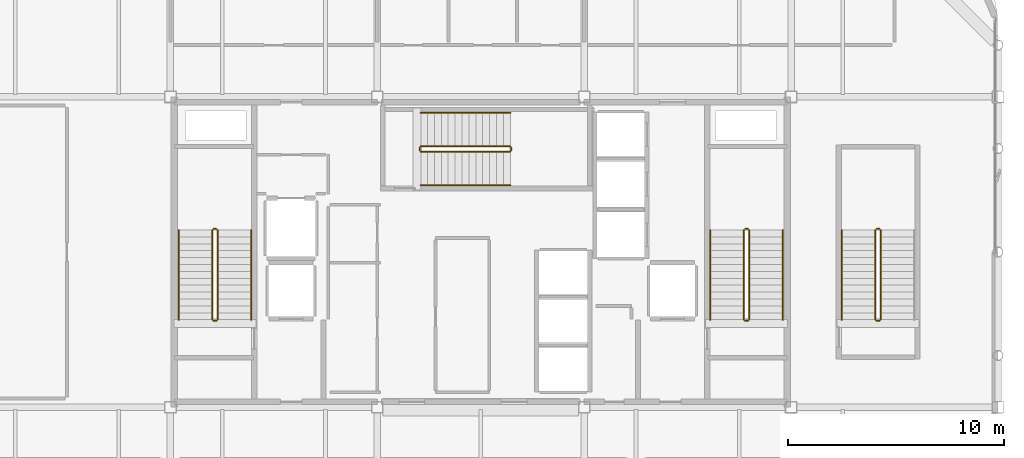
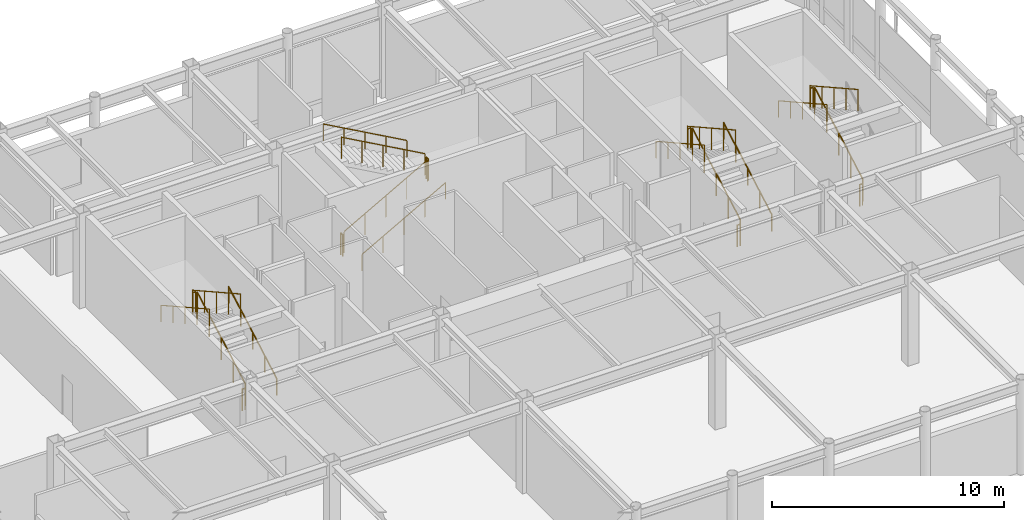
# One storey, part 20 of 21: 23 railings.
"""IFC4 building model written with IfcOpenShell, lengths in metres."""

from ifc_helpers import new_model, si_unit, direction, frame, origin, origin_2d, place, context, subcontext, project, spatial, circle, extrude, material, layer, layer_set, type_object, element, save


model = new_model("IFC4")

# Units and contexts
model_context = context("Model", 3, precision=1e-05, world=origin(), true_north=direction((0.0, 1.0)))
body_context = subcontext(model_context, "Body", "Model", "MODEL_VIEW")
ifc_project = project(units=[si_unit("LENGTHUNIT", "METRE"), si_unit("AREAUNIT", "SQUARE_METRE"), si_unit("VOLUMEUNIT", "CUBIC_METRE"), si_unit("PLANEANGLEUNIT", "RADIAN"), si_unit("MASSUNIT", "GRAM", prefix="KILO")], contexts=[model_context])

# Site, building, storey
site_placement = place(None, origin())
site = spatial("IfcSite", under=ifc_project, at=site_placement, CompositionType="ELEMENT")
building_placement = place(site_placement, origin())
building = spatial("IfcBuilding", under=site, at=building_placement, Name="Kallvorn Hotel Tower", CompositionType="ELEMENT")
storey_placement = place(building_placement, frame((0.0, 0.0, 290.60009765625)))
storey = spatial("IfcBuildingStorey", under=building, at=storey_placement, Name="L72", CompositionType="ELEMENT", Elevation=290.60009765625)

# Railings
ifc_material_1 = material(Name="Brushed stainless-steel tubular railing", Category="steel")
ifc_layer_1 = layer(ifc_material_1, 0.050048828125)
ifc_layer_set_1 = layer_set([ifc_layer_1], Name="RL_STAIR_GUARD")
railing_type_1 = type_object("IfcRailingType", Name="RL_STAIR_GUARD", PredefinedType="GUARDRAIL", material=ifc_layer_set_1)
railing_1_placement = place(storey_placement, frame((-12.2099609375, -3.139892578125, 0.178466796875)))
element("IfcRailing", 1, at=railing_1_placement, inside=storey, type_object=railing_type_1, Name="L72 ST1 stair guard 1", PredefinedType="GUARDRAIL", context=body_context, shape_type="SweptSolid", body=[
    extrude(circle(Radius=0.02392578125, at=origin_2d()), frame((0.0, 0.0, 1.1259765625), z_axis=(0.0, 0.873222553742, 0.487321630585), x_axis=(-1.0, 0.0, 0.0)), (0.0, 0.0, 1.0), 4.763916015625),
    extrude(circle(Radius=0.02099609375, at=origin_2d()), origin(), (0.0, 0.0, 1.0), 1.101806640625),
    extrude(circle(Radius=0.02099609375, at=origin_2d()), frame((0.0, 1.0400390625, 0.580322265625)), (0.0, 0.0, 1.0), 1.101806640625),
    extrude(circle(Radius=0.02099609375, at=origin_2d()), frame((0.0, 2.080078125, 1.16064453125)), (0.0, 0.0, 1.0), 1.101806640625),
    extrude(circle(Radius=0.02099609375, at=origin_2d()), frame((0.0, 3.119873046875, 1.7412109375)), (0.0, 0.0, 1.0), 1.101806640625),
    extrude(circle(Radius=0.02099609375, at=origin_2d()), frame((0.0, 4.159912109375, 2.321533203125)), (0.0, 0.0, 1.0), 1.101806640625),
])
railing_2_placement = place(storey_placement, frame((-12.260009765625, 1.070068359375, 2.5)))
element("IfcRailing", 2, at=railing_2_placement, inside=storey, type_object=railing_type_1, Name="L72 ST1 stair guard 2", PredefinedType="GUARDRAIL", context=body_context, shape_type="SweptSolid", body=[
    extrude(circle(Radius=0.02392578125, at=origin_2d()), frame((0.0, 0.0, 1.1259765625), z_axis=(-1.0, 0.0, 0.0), x_axis=(0.0, -1.0, 0.0)), (0.0, 0.0, 1.0), 0.139892578125),
    extrude(circle(Radius=0.02099609375, at=origin_2d()), origin(), (0.0, 0.0, 1.0), 1.101806640625),
    extrude(circle(Radius=0.02099609375, at=origin_2d()), frame((-0.139892578125, 0.0, 0.0)), (0.0, 0.0, 1.0), 1.101806640625),
])
railing_3_placement = place(storey_placement, frame((-12.449951171875, 1.02001953125, 2.678466796875)))
element("IfcRailing", 3, at=railing_3_placement, inside=storey, type_object=railing_type_1, Name="L72 ST1 stair guard 3", PredefinedType="GUARDRAIL", context=body_context, shape_type="SweptSolid", body=[
    extrude(circle(Radius=0.02392578125, at=origin_2d()), frame((0.0, 0.0, 1.1259765625), z_axis=(0.0, -0.873222553742, 0.487321630585), x_axis=(1.0, 0.0, 0.0)), (0.0, 0.0, 1.0), 4.763916015625),
    extrude(circle(Radius=0.02099609375, at=origin_2d()), origin(), (0.0, 0.0, 1.0), 1.101806640625),
    extrude(circle(Radius=0.02099609375, at=origin_2d()), frame((0.0, -1.0400390625, 0.580322265625)), (0.0, 0.0, 1.0), 1.101806640625),
    extrude(circle(Radius=0.02099609375, at=origin_2d()), frame((0.0, -2.080078125, 1.16064453125)), (0.0, 0.0, 1.0), 1.101806640625),
    extrude(circle(Radius=0.02099609375, at=origin_2d()), frame((0.0, -3.119873046875, 1.7412109375)), (0.0, 0.0, 1.0), 1.101806640625),
    extrude(circle(Radius=0.02099609375, at=origin_2d()), frame((0.0, -4.159912109375, 2.321533203125)), (0.0, 0.0, 1.0), 1.101806640625),
])
railing_4_placement = place(storey_placement, frame((-12.260009765625, -3.18994140625, 0.0)))
element("IfcRailing", 4, at=railing_4_placement, inside=storey, type_object=railing_type_1, Name="L72 ST1 stair guard 4", PredefinedType="GUARDRAIL", context=body_context, shape_type="SweptSolid", body=[
    extrude(circle(Radius=0.02392578125, at=origin_2d()), frame((0.0, 0.0, 1.1259765625), z_axis=(-1.0, 0.0, 0.0), x_axis=(0.0, -1.0, 0.0)), (0.0, 0.0, 1.0), 0.139892578125),
    extrude(circle(Radius=0.02099609375, at=origin_2d()), origin(), (0.0, 0.0, 1.0), 1.101806640625),
    extrude(circle(Radius=0.02099609375, at=origin_2d()), frame((-0.139892578125, 0.0, 0.0)), (0.0, 0.0, 1.0), 1.101806640625),
])
railing_5_placement = place(storey_placement, frame((12.449951171875, -3.139892578125, 0.178466796875)))
element("IfcRailing", 5, at=railing_5_placement, inside=storey, type_object=railing_type_1, Name="L72 ST2 stair guard 1", PredefinedType="GUARDRAIL", context=body_context, shape_type="SweptSolid", body=[
    extrude(circle(Radius=0.02392578125, at=origin_2d()), frame((0.0, 0.0, 1.1259765625), z_axis=(0.0, 0.873222553742, 0.487321630585), x_axis=(-1.0, 0.0, 0.0)), (0.0, 0.0, 1.0), 4.763916015625),
    extrude(circle(Radius=0.02099609375, at=origin_2d()), origin(), (0.0, 0.0, 1.0), 1.101806640625),
    extrude(circle(Radius=0.02099609375, at=origin_2d()), frame((0.0, 1.0400390625, 0.580322265625)), (0.0, 0.0, 1.0), 1.101806640625),
    extrude(circle(Radius=0.02099609375, at=origin_2d()), frame((0.0, 2.080078125, 1.16064453125)), (0.0, 0.0, 1.0), 1.101806640625),
    extrude(circle(Radius=0.02099609375, at=origin_2d()), frame((0.0, 3.119873046875, 1.7412109375)), (0.0, 0.0, 1.0), 1.101806640625),
    extrude(circle(Radius=0.02099609375, at=origin_2d()), frame((0.0, 4.159912109375, 2.321533203125)), (0.0, 0.0, 1.0), 1.101806640625),
])
railing_6_placement = place(storey_placement, frame((12.39990234375, 1.070068359375, 2.5)))
element("IfcRailing", 6, at=railing_6_placement, inside=storey, type_object=railing_type_1, Name="L72 ST2 stair guard 2", PredefinedType="GUARDRAIL", context=body_context, shape_type="SweptSolid", body=[
    extrude(circle(Radius=0.02392578125, at=origin_2d()), frame((0.0, 0.0, 1.1259765625), z_axis=(-1.0, 0.0, 0.0), x_axis=(0.0, -1.0, 0.0)), (0.0, 0.0, 1.0), 0.139892578125),
    extrude(circle(Radius=0.02099609375, at=origin_2d()), origin(), (0.0, 0.0, 1.0), 1.101806640625),
    extrude(circle(Radius=0.02099609375, at=origin_2d()), frame((-0.139892578125, 0.0, 0.0)), (0.0, 0.0, 1.0), 1.101806640625),
])
railing_7_placement = place(storey_placement, frame((12.2099609375, 1.02001953125, 2.678466796875)))
element("IfcRailing", 7, at=railing_7_placement, inside=storey, type_object=railing_type_1, Name="L72 ST2 stair guard 3", PredefinedType="GUARDRAIL", context=body_context, shape_type="SweptSolid", body=[
    extrude(circle(Radius=0.02392578125, at=origin_2d()), frame((0.0, 0.0, 1.1259765625), z_axis=(0.0, -0.873222553742, 0.487321630585), x_axis=(1.0, 0.0, 0.0)), (0.0, 0.0, 1.0), 4.763916015625),
    extrude(circle(Radius=0.02099609375, at=origin_2d()), origin(), (0.0, 0.0, 1.0), 1.101806640625),
    extrude(circle(Radius=0.02099609375, at=origin_2d()), frame((0.0, -1.0400390625, 0.580322265625)), (0.0, 0.0, 1.0), 1.101806640625),
    extrude(circle(Radius=0.02099609375, at=origin_2d()), frame((0.0, -2.080078125, 1.16064453125)), (0.0, 0.0, 1.0), 1.101806640625),
    extrude(circle(Radius=0.02099609375, at=origin_2d()), frame((0.0, -3.119873046875, 1.7412109375)), (0.0, 0.0, 1.0), 1.101806640625),
    extrude(circle(Radius=0.02099609375, at=origin_2d()), frame((0.0, -4.159912109375, 2.321533203125)), (0.0, 0.0, 1.0), 1.101806640625),
])
railing_8_placement = place(storey_placement, frame((12.39990234375, -3.18994140625, 0.0)))
element("IfcRailing", 8, at=railing_8_placement, inside=storey, type_object=railing_type_1, Name="L72 ST2 stair guard 4", PredefinedType="GUARDRAIL", context=body_context, shape_type="SweptSolid", body=[
    extrude(circle(Radius=0.02392578125, at=origin_2d()), frame((0.0, 0.0, 1.1259765625), z_axis=(-1.0, 0.0, 0.0), x_axis=(0.0, -1.0, 0.0)), (0.0, 0.0, 1.0), 0.139892578125),
    extrude(circle(Radius=0.02099609375, at=origin_2d()), origin(), (0.0, 0.0, 1.0), 1.101806640625),
    extrude(circle(Radius=0.02099609375, at=origin_2d()), frame((-0.139892578125, 0.0, 0.0)), (0.0, 0.0, 1.0), 1.101806640625),
])
railing_9_placement = place(storey_placement, frame((-2.7900390625, 4.659912109375, 0.178466796875)))
element("IfcRailing", 9, at=railing_9_placement, inside=storey, type_object=railing_type_1, Name="L72 ST3 stair guard 1", PredefinedType="GUARDRAIL", context=body_context, shape_type="SweptSolid", body=[
    extrude(circle(Radius=0.02392578125, at=origin_2d()), frame((0.0, 0.0, 1.1259765625), z_axis=(0.873234723532, 0.0, 0.487299823126), x_axis=(0.0, 1.0, 0.0)), (0.0, 0.0, 1.0), 4.76416015625),
    extrude(circle(Radius=0.02099609375, at=origin_2d()), origin(), (0.0, 0.0, 1.0), 1.101806640625),
    extrude(circle(Radius=0.02099609375, at=origin_2d()), frame((1.0400390625, 0.0, 0.580322265625)), (0.0, 0.0, 1.0), 1.101806640625),
    extrude(circle(Radius=0.02099609375, at=origin_2d()), frame((2.080078125, 0.0, 1.16064453125)), (0.0, 0.0, 1.0), 1.101806640625),
    extrude(circle(Radius=0.02099609375, at=origin_2d()), frame((3.1201171875, 0.0, 1.7412109375)), (0.0, 0.0, 1.0), 1.101806640625),
    extrude(circle(Radius=0.02099609375, at=origin_2d()), frame((4.16015625, 0.0, 2.321533203125)), (0.0, 0.0, 1.0), 1.101806640625),
])
railing_10_placement = place(storey_placement, frame((1.419921875, 4.7099609375, 2.5)))
element("IfcRailing", 10, at=railing_10_placement, inside=storey, type_object=railing_type_1, Name="L72 ST3 stair guard 2", PredefinedType="GUARDRAIL", context=body_context, shape_type="SweptSolid", body=[
    extrude(circle(Radius=0.02392578125, at=origin_2d()), frame((0.0, 0.0, 1.1259765625), z_axis=(0.0, 1.0, 0.0), x_axis=(-1.0, 0.0, 0.0)), (0.0, 0.0, 1.0), 0.14013671875),
    extrude(circle(Radius=0.02099609375, at=origin_2d()), origin(), (0.0, 0.0, 1.0), 1.101806640625),
    extrude(circle(Radius=0.02099609375, at=origin_2d()), frame((0.0, 0.14013671875, 0.0)), (0.0, 0.0, 1.0), 1.101806640625),
])
railing_11_placement = place(storey_placement, frame((1.3701171875, 4.89990234375, 2.678466796875)))
element("IfcRailing", 11, at=railing_11_placement, inside=storey, type_object=railing_type_1, Name="L72 ST3 stair guard 3", PredefinedType="GUARDRAIL", context=body_context, shape_type="SweptSolid", body=[
    extrude(circle(Radius=0.02392578125, at=origin_2d()), frame((0.0, 0.0, 1.1259765625), z_axis=(-0.873234723532, 0.0, 0.487299823126), x_axis=(0.0, -1.0, 0.0)), (0.0, 0.0, 1.0), 4.76416015625),
    extrude(circle(Radius=0.02099609375, at=origin_2d()), origin(), (0.0, 0.0, 1.0), 1.101806640625),
    extrude(circle(Radius=0.02099609375, at=origin_2d()), frame((-1.0400390625, 0.0, 0.580322265625)), (0.0, 0.0, 1.0), 1.101806640625),
    extrude(circle(Radius=0.02099609375, at=origin_2d()), frame((-2.080078125, 0.0, 1.16064453125)), (0.0, 0.0, 1.0), 1.101806640625),
    extrude(circle(Radius=0.02099609375, at=origin_2d()), frame((-3.1201171875, 0.0, 1.7412109375)), (0.0, 0.0, 1.0), 1.101806640625),
    extrude(circle(Radius=0.02099609375, at=origin_2d()), frame((-4.16015625, 0.0, 2.321533203125)), (0.0, 0.0, 1.0), 1.101806640625),
])
railing_12_placement = place(storey_placement, frame((-2.840087890625, 4.7099609375, 0.0)))
element("IfcRailing", 12, at=railing_12_placement, inside=storey, type_object=railing_type_1, Name="L72 ST3 stair guard 4", PredefinedType="GUARDRAIL", context=body_context, shape_type="SweptSolid", body=[
    extrude(circle(Radius=0.02392578125, at=origin_2d()), frame((0.0, 0.0, 1.1259765625), z_axis=(0.0, 1.0, 0.0), x_axis=(-1.0, 0.0, 0.0)), (0.0, 0.0, 1.0), 0.14013671875),
    extrude(circle(Radius=0.02099609375, at=origin_2d()), origin(), (0.0, 0.0, 1.0), 1.101806640625),
    extrude(circle(Radius=0.02099609375, at=origin_2d()), frame((0.0, 0.14013671875, 0.0)), (0.0, 0.0, 1.0), 1.101806640625),
])
railing_13_placement = place(storey_placement, frame((18.550048828125, -3.139892578125, 0.178466796875)))
element("IfcRailing", 13, at=railing_13_placement, inside=storey, type_object=railing_type_1, Name="L72 ST4 stair guard 1", PredefinedType="GUARDRAIL", context=body_context, shape_type="SweptSolid", body=[
    extrude(circle(Radius=0.02392578125, at=origin_2d()), frame((0.0, 0.0, 1.1259765625), z_axis=(0.0, 0.873222553742, 0.487321630585), x_axis=(-1.0, 0.0, 0.0)), (0.0, 0.0, 1.0), 4.763916015625),
    extrude(circle(Radius=0.02099609375, at=origin_2d()), origin(), (0.0, 0.0, 1.0), 1.101806640625),
    extrude(circle(Radius=0.02099609375, at=origin_2d()), frame((0.0, 1.0400390625, 0.580322265625)), (0.0, 0.0, 1.0), 1.101806640625),
    extrude(circle(Radius=0.02099609375, at=origin_2d()), frame((0.0, 2.080078125, 1.16064453125)), (0.0, 0.0, 1.0), 1.101806640625),
    extrude(circle(Radius=0.02099609375, at=origin_2d()), frame((0.0, 3.119873046875, 1.7412109375)), (0.0, 0.0, 1.0), 1.101806640625),
    extrude(circle(Radius=0.02099609375, at=origin_2d()), frame((0.0, 4.159912109375, 2.321533203125)), (0.0, 0.0, 1.0), 1.101806640625),
])
railing_14_placement = place(storey_placement, frame((18.5, 1.070068359375, 2.5)))
element("IfcRailing", 14, at=railing_14_placement, inside=storey, type_object=railing_type_1, Name="L72 ST4 stair guard 2", PredefinedType="GUARDRAIL", context=body_context, shape_type="SweptSolid", body=[
    extrude(circle(Radius=0.02392578125, at=origin_2d()), frame((0.0, 0.0, 1.1259765625), z_axis=(-1.0, 0.0, 0.0), x_axis=(0.0, -1.0, 0.0)), (0.0, 0.0, 1.0), 0.139892578125),
    extrude(circle(Radius=0.02099609375, at=origin_2d()), origin(), (0.0, 0.0, 1.0), 1.101806640625),
    extrude(circle(Radius=0.02099609375, at=origin_2d()), frame((-0.139892578125, 0.0, 0.0)), (0.0, 0.0, 1.0), 1.101806640625),
])
railing_15_placement = place(storey_placement, frame((18.31005859375, 1.02001953125, 2.678466796875)))
element("IfcRailing", 15, at=railing_15_placement, inside=storey, type_object=railing_type_1, Name="L72 ST4 stair guard 3", PredefinedType="GUARDRAIL", context=body_context, shape_type="SweptSolid", body=[
    extrude(circle(Radius=0.02392578125, at=origin_2d()), frame((0.0, 0.0, 1.1259765625), z_axis=(0.0, -0.873222553742, 0.487321630585), x_axis=(1.0, 0.0, 0.0)), (0.0, 0.0, 1.0), 4.763916015625),
    extrude(circle(Radius=0.02099609375, at=origin_2d()), origin(), (0.0, 0.0, 1.0), 1.101806640625),
    extrude(circle(Radius=0.02099609375, at=origin_2d()), frame((0.0, -1.0400390625, 0.580322265625)), (0.0, 0.0, 1.0), 1.101806640625),
    extrude(circle(Radius=0.02099609375, at=origin_2d()), frame((0.0, -2.080078125, 1.16064453125)), (0.0, 0.0, 1.0), 1.101806640625),
    extrude(circle(Radius=0.02099609375, at=origin_2d()), frame((0.0, -3.119873046875, 1.7412109375)), (0.0, 0.0, 1.0), 1.101806640625),
    extrude(circle(Radius=0.02099609375, at=origin_2d()), frame((0.0, -4.159912109375, 2.321533203125)), (0.0, 0.0, 1.0), 1.101806640625),
])
railing_16_placement = place(storey_placement, frame((18.5, -3.18994140625, 0.0)))
element("IfcRailing", 16, at=railing_16_placement, inside=storey, type_object=railing_type_1, Name="L72 ST4 stair guard 4", PredefinedType="GUARDRAIL", context=body_context, shape_type="SweptSolid", body=[
    extrude(circle(Radius=0.02392578125, at=origin_2d()), frame((0.0, 0.0, 1.1259765625), z_axis=(-1.0, 0.0, 0.0), x_axis=(0.0, -1.0, 0.0)), (0.0, 0.0, 1.0), 0.139892578125),
    extrude(circle(Radius=0.02099609375, at=origin_2d()), origin(), (0.0, 0.0, 1.0), 1.101806640625),
    extrude(circle(Radius=0.02099609375, at=origin_2d()), frame((-0.139892578125, 0.0, 0.0)), (0.0, 0.0, 1.0), 1.101806640625),
])
ifc_material_2 = material(Name="Brushed stainless-steel tubular railing", Category="steel")
ifc_layer_2 = layer(ifc_material_2, 0.050048828125)
ifc_layer_set_2 = layer_set([ifc_layer_2], Name="RL_STAIR_HAND")
railing_type_2 = type_object("IfcRailingType", Name="RL_STAIR_HAND", PredefinedType="HANDRAIL", material=ifc_layer_set_2)
railing_17_placement = place(storey_placement, frame((-10.64990234375, -3.139892578125, 0.178466796875)))
element("IfcRailing", 17, at=railing_17_placement, inside=storey, type_object=railing_type_2, Name="L72 ST1 stair handrail 1", PredefinedType="HANDRAIL", context=body_context, shape_type="SweptSolid", body=[
    extrude(circle(Radius=0.02392578125, at=origin_2d()), frame((0.0, 0.0, 0.8759765625), z_axis=(0.0, 0.873222553742, 0.487321630585), x_axis=(-1.0, 0.0, 0.0)), (0.0, 0.0, 1.0), 4.763916015625),
    extrude(circle(Radius=0.02099609375, at=origin_2d()), origin(), (0.0, 0.0, 1.0), 0.851806640625),
    extrude(circle(Radius=0.02099609375, at=origin_2d()), frame((0.0, 1.0400390625, 0.580322265625)), (0.0, 0.0, 1.0), 0.851806640625),
    extrude(circle(Radius=0.02099609375, at=origin_2d()), frame((0.0, 2.080078125, 1.16064453125)), (0.0, 0.0, 1.0), 0.851806640625),
    extrude(circle(Radius=0.02099609375, at=origin_2d()), frame((0.0, 3.119873046875, 1.7412109375)), (0.0, 0.0, 1.0), 0.851806640625),
    extrude(circle(Radius=0.02099609375, at=origin_2d()), frame((0.0, 4.159912109375, 2.321533203125)), (0.0, 0.0, 1.0), 0.851806640625),
])
railing_18_placement = place(storey_placement, frame((-14.010009765625, 1.02001953125, 2.678466796875)))
element("IfcRailing", 18, at=railing_18_placement, inside=storey, type_object=railing_type_2, Name="L72 ST1 stair handrail 2", PredefinedType="HANDRAIL", context=body_context, shape_type="SweptSolid", body=[
    extrude(circle(Radius=0.02392578125, at=origin_2d()), frame((0.0, 0.0, 0.8759765625), z_axis=(0.0, -0.873222553742, 0.487321630585), x_axis=(1.0, 0.0, 0.0)), (0.0, 0.0, 1.0), 4.763916015625),
    extrude(circle(Radius=0.02099609375, at=origin_2d()), origin(), (0.0, 0.0, 1.0), 0.851806640625),
    extrude(circle(Radius=0.02099609375, at=origin_2d()), frame((0.0, -1.0400390625, 0.580322265625)), (0.0, 0.0, 1.0), 0.851806640625),
    extrude(circle(Radius=0.02099609375, at=origin_2d()), frame((0.0, -2.080078125, 1.16064453125)), (0.0, 0.0, 1.0), 0.851806640625),
    extrude(circle(Radius=0.02099609375, at=origin_2d()), frame((0.0, -3.119873046875, 1.7412109375)), (0.0, 0.0, 1.0), 0.851806640625),
    extrude(circle(Radius=0.02099609375, at=origin_2d()), frame((0.0, -4.159912109375, 2.321533203125)), (0.0, 0.0, 1.0), 0.851806640625),
])
railing_19_placement = place(storey_placement, frame((14.010009765625, -3.139892578125, 0.178466796875)))
element("IfcRailing", 19, at=railing_19_placement, inside=storey, type_object=railing_type_2, Name="L72 ST2 stair handrail 1", PredefinedType="HANDRAIL", context=body_context, shape_type="SweptSolid", body=[
    extrude(circle(Radius=0.02392578125, at=origin_2d()), frame((0.0, 0.0, 0.8759765625), z_axis=(0.0, 0.873222553742, 0.487321630585), x_axis=(-1.0, 0.0, 0.0)), (0.0, 0.0, 1.0), 4.763916015625),
    extrude(circle(Radius=0.02099609375, at=origin_2d()), origin(), (0.0, 0.0, 1.0), 0.851806640625),
    extrude(circle(Radius=0.02099609375, at=origin_2d()), frame((0.0, 1.0400390625, 0.580322265625)), (0.0, 0.0, 1.0), 0.851806640625),
    extrude(circle(Radius=0.02099609375, at=origin_2d()), frame((0.0, 2.080078125, 1.16064453125)), (0.0, 0.0, 1.0), 0.851806640625),
    extrude(circle(Radius=0.02099609375, at=origin_2d()), frame((0.0, 3.119873046875, 1.7412109375)), (0.0, 0.0, 1.0), 0.851806640625),
    extrude(circle(Radius=0.02099609375, at=origin_2d()), frame((0.0, 4.159912109375, 2.321533203125)), (0.0, 0.0, 1.0), 0.851806640625),
])
railing_20_placement = place(storey_placement, frame((10.64990234375, 1.02001953125, 2.678466796875)))
element("IfcRailing", 20, at=railing_20_placement, inside=storey, type_object=railing_type_2, Name="L72 ST2 stair handrail 2", PredefinedType="HANDRAIL", context=body_context, shape_type="SweptSolid", body=[
    extrude(circle(Radius=0.02392578125, at=origin_2d()), frame((0.0, 0.0, 0.8759765625), z_axis=(0.0, -0.873222553742, 0.487321630585), x_axis=(1.0, 0.0, 0.0)), (0.0, 0.0, 1.0), 4.763916015625),
    extrude(circle(Radius=0.02099609375, at=origin_2d()), origin(), (0.0, 0.0, 1.0), 0.851806640625),
    extrude(circle(Radius=0.02099609375, at=origin_2d()), frame((0.0, -1.0400390625, 0.580322265625)), (0.0, 0.0, 1.0), 0.851806640625),
    extrude(circle(Radius=0.02099609375, at=origin_2d()), frame((0.0, -2.080078125, 1.16064453125)), (0.0, 0.0, 1.0), 0.851806640625),
    extrude(circle(Radius=0.02099609375, at=origin_2d()), frame((0.0, -3.119873046875, 1.7412109375)), (0.0, 0.0, 1.0), 0.851806640625),
    extrude(circle(Radius=0.02099609375, at=origin_2d()), frame((0.0, -4.159912109375, 2.321533203125)), (0.0, 0.0, 1.0), 0.851806640625),
])
railing_21_placement = place(storey_placement, frame((-2.7900390625, 3.10009765625, 0.178466796875)))
element("IfcRailing", 21, at=railing_21_placement, inside=storey, type_object=railing_type_2, Name="L72 ST3 stair handrail 1", PredefinedType="HANDRAIL", context=body_context, shape_type="SweptSolid", body=[
    extrude(circle(Radius=0.02392578125, at=origin_2d()), frame((0.0, 0.0, 0.8759765625), z_axis=(0.873234723532, 0.0, 0.487299823126), x_axis=(0.0, 1.0, 0.0)), (0.0, 0.0, 1.0), 4.76416015625),
    extrude(circle(Radius=0.02099609375, at=origin_2d()), origin(), (0.0, 0.0, 1.0), 0.851806640625),
    extrude(circle(Radius=0.02099609375, at=origin_2d()), frame((1.0400390625, 0.0, 0.580322265625)), (0.0, 0.0, 1.0), 0.851806640625),
    extrude(circle(Radius=0.02099609375, at=origin_2d()), frame((2.080078125, 0.0, 1.16064453125)), (0.0, 0.0, 1.0), 0.851806640625),
    extrude(circle(Radius=0.02099609375, at=origin_2d()), frame((3.1201171875, 0.0, 1.7412109375)), (0.0, 0.0, 1.0), 0.851806640625),
    extrude(circle(Radius=0.02099609375, at=origin_2d()), frame((4.16015625, 0.0, 2.321533203125)), (0.0, 0.0, 1.0), 0.851806640625),
])
railing_22_placement = place(storey_placement, frame((1.3701171875, 6.4599609375, 2.678466796875)))
element("IfcRailing", 22, at=railing_22_placement, inside=storey, type_object=railing_type_2, Name="L72 ST3 stair handrail 2", PredefinedType="HANDRAIL", context=body_context, shape_type="SweptSolid", body=[
    extrude(circle(Radius=0.02392578125, at=origin_2d()), frame((0.0, 0.0, 0.8759765625), z_axis=(-0.873234723532, 0.0, 0.487299823126), x_axis=(0.0, -1.0, 0.0)), (0.0, 0.0, 1.0), 4.76416015625),
    extrude(circle(Radius=0.02099609375, at=origin_2d()), origin(), (0.0, 0.0, 1.0), 0.851806640625),
    extrude(circle(Radius=0.02099609375, at=origin_2d()), frame((-1.0400390625, 0.0, 0.580322265625)), (0.0, 0.0, 1.0), 0.851806640625),
    extrude(circle(Radius=0.02099609375, at=origin_2d()), frame((-2.080078125, 0.0, 1.16064453125)), (0.0, 0.0, 1.0), 0.851806640625),
    extrude(circle(Radius=0.02099609375, at=origin_2d()), frame((-3.1201171875, 0.0, 1.7412109375)), (0.0, 0.0, 1.0), 0.851806640625),
    extrude(circle(Radius=0.02099609375, at=origin_2d()), frame((-4.16015625, 0.0, 2.321533203125)), (0.0, 0.0, 1.0), 0.851806640625),
])
railing_23_placement = place(storey_placement, frame((16.75, 1.02001953125, 2.678466796875)))
element("IfcRailing", 23, at=railing_23_placement, inside=storey, type_object=railing_type_2, Name="L72 ST4 stair handrail 2", PredefinedType="HANDRAIL", context=body_context, shape_type="SweptSolid", body=[
    extrude(circle(Radius=0.02392578125, at=origin_2d()), frame((0.0, 0.0, 0.8759765625), z_axis=(0.0, -0.873222553742, 0.487321630585), x_axis=(1.0, 0.0, 0.0)), (0.0, 0.0, 1.0), 4.763916015625),
    extrude(circle(Radius=0.02099609375, at=origin_2d()), origin(), (0.0, 0.0, 1.0), 0.851806640625),
    extrude(circle(Radius=0.02099609375, at=origin_2d()), frame((0.0, -1.0400390625, 0.580322265625)), (0.0, 0.0, 1.0), 0.851806640625),
    extrude(circle(Radius=0.02099609375, at=origin_2d()), frame((0.0, -2.080078125, 1.16064453125)), (0.0, 0.0, 1.0), 0.851806640625),
    extrude(circle(Radius=0.02099609375, at=origin_2d()), frame((0.0, -3.119873046875, 1.7412109375)), (0.0, 0.0, 1.0), 0.851806640625),
    extrude(circle(Radius=0.02099609375, at=origin_2d()), frame((0.0, -4.159912109375, 2.321533203125)), (0.0, 0.0, 1.0), 0.851806640625),
])

save(model, "model.ifc")
